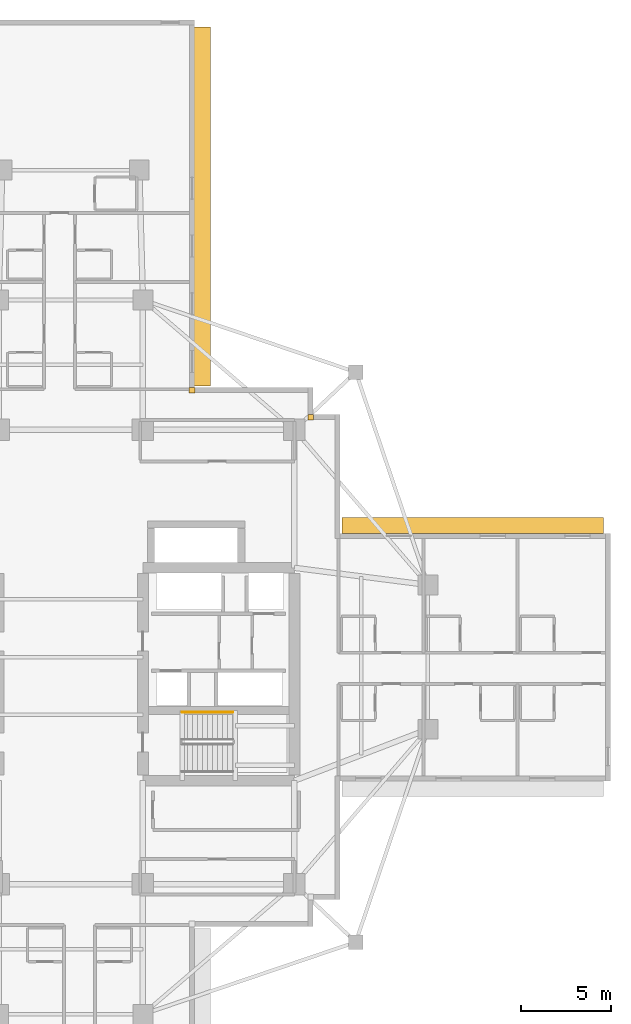
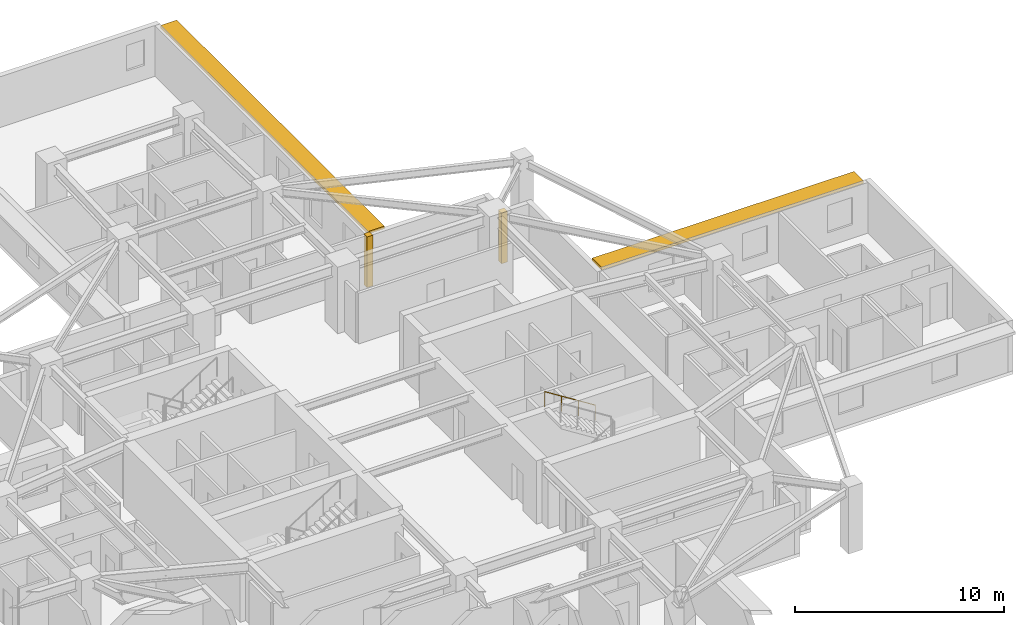
# One storey, part 13 of 13: 2 coverings, 2 shading devices, 1 railing.
"""IFC4 building model written with IfcOpenShell, lengths in metres."""

from ifc_helpers import new_model, si_unit, direction, frame, origin, origin_2d, place, context, subcontext, project, spatial, rectangle, circle, extrude, material, layer, layer_set, type_object, element, save


model = new_model("IFC4")

# Units and contexts
model_context = context("Model", 3, precision=1e-05, world=origin(), true_north=direction((0.0, 1.0)))
body_context = subcontext(model_context, "Body", "Model", "MODEL_VIEW")
ifc_project = project(units=[si_unit("LENGTHUNIT", "METRE"), si_unit("AREAUNIT", "SQUARE_METRE"), si_unit("VOLUMEUNIT", "CUBIC_METRE"), si_unit("PLANEANGLEUNIT", "RADIAN"), si_unit("MASSUNIT", "GRAM", prefix="KILO")], contexts=[model_context])

# Site, building, storey
site_placement = place(None, origin())
site = spatial("IfcSite", under=ifc_project, at=site_placement, CompositionType="ELEMENT")
building_placement = place(site_placement, origin())
building = spatial("IfcBuilding", under=site, at=building_placement, Name="Qingluan Cross Belvedere", CompositionType="ELEMENT")
storey_placement = place(building_placement, frame((0.0, 0.0, 104.699951171875)))
storey = spatial("IfcBuildingStorey", under=building, at=storey_placement, Name="L26", CompositionType="ELEMENT", Elevation=104.699951171875)

# Coverings
ifc_material_1 = material(Name="Precast concrete C45", Category="concrete")
ifc_layer_1 = layer(ifc_material_1, 0.1201171875, Name="ConcreteSpandrelCladding_120")
ifc_layer_set_1 = layer_set([ifc_layer_1], Name="Precast concrete C45")
covering_type = type_object("IfcCoveringType", Name="ConcreteSpandrelCladding_120", PredefinedType="CLADDING", material=ifc_layer_set_1)
for number, where, z_axis, x_axis, name in (
    (1, (13.300048828125, 13.300048828125, 0.0), (0.0, 0.0, 1.0), (1.0, 0.0, 0.0), "Corner closure L26-NE1"),
    (2, (6.719970703125, 14.800048828125, 0.0), (0.0, 0.0, 1.0), (1.0, 0.0, 0.0), "Corner closure L26-NE2"),
):
    element("IfcCovering", number, at=place(storey_placement, frame(where, z_axis=z_axis, x_axis=x_axis)), inside=storey, type_object=covering_type, Name=name, PredefinedType="CLADDING", context=body_context, shape_type="SweptSolid", body=[
        extrude(rectangle(XDim=0.320068359375, YDim=0.320068359375, at=origin_2d()), origin(), (0.0, 0.0, 1.0), 2.969970703125),
    ])

# Shading devices
ifc_material_2 = material(Name="Precast concrete C45", Category="concrete")
ifc_layer_2 = layer(ifc_material_2, 0.159912109375, Name="ConcreteSunshadeBand_900")
ifc_layer_set_2 = layer_set([ifc_layer_2], Name="Precast concrete C45")
shading_device_type = type_object("IfcShadingDeviceType", Name="ConcreteSunshadeBand_900", PredefinedType="USERDEFINED", material=ifc_layer_set_2)
shading_device_1_placement = place(storey_placement, frame((22.2900390625, 7.2900390625, 2.7900390625), z_axis=(0.0, 0.0, 1.0), x_axis=(-1.0, 0.0, 0.0)))
element("IfcShadingDevice", 3, at=shading_device_1_placement, inside=storey, type_object=shading_device_type, Name="Concrete SUNSHADE L26-EB", ObjectType="SUNSHADE", PredefinedType="USERDEFINED", context=body_context, shape_type="SweptSolid", body=[
    extrude(rectangle(XDim=14.5, YDim=0.89990234375, at=origin_2d()), origin(), (0.0, 0.0, 1.0), 0.159912109375),
])
shading_device_2_placement = place(storey_placement, frame((7.2900390625, 24.989990234375, 2.7900390625), z_axis=(0.0, 0.0, 1.0), x_axis=(0.0, 1.0, 0.0)))
element("IfcShadingDevice", 4, at=shading_device_2_placement, inside=storey, type_object=shading_device_type, Name="Concrete SUNSHADE L26-NA", ObjectType="SUNSHADE", PredefinedType="USERDEFINED", context=body_context, shape_type="SweptSolid", body=[
    extrude(rectangle(XDim=19.89990234375, YDim=0.89990234375, at=origin_2d()), origin(), (0.0, 0.0, 1.0), 0.159912109375),
])

# Railing
ifc_material_3 = material(Name="Brushed stainless steel tubular handrail", Category="steel")
railing_type = type_object("IfcRailingType", Name="StairPitchHandrail_900", PredefinedType="HANDRAIL", material=ifc_material_3)
railing_placement = place(storey_placement, frame((8.97998046875, -3.050048828125, 2.12744140625)))
element("IfcRailing", 5, at=railing_placement, inside=storey, type_object=railing_type, Name="L26 ST2 stair handrail 2", PredefinedType="HANDRAIL", context=body_context, shape_type="SweptSolid", body=[
    extrude(circle(Radius=0.02392578125, at=origin_2d()), frame((0.0, 0.0, 0.8759765625), z_axis=(-0.844908973607, 0.0, 0.534910110503), x_axis=(0.0, -1.0, 0.0)), (0.0, 0.0, 1.0), 3.31396484375),
    extrude(circle(Radius=0.02099609375, at=origin_2d()), origin(), (0.0, 0.0, 1.0), 0.851806640625),
    extrude(circle(Radius=0.02099609375, at=origin_2d()), frame((-0.933349609375, 0.0, 0.5908203125)), (0.0, 0.0, 1.0), 0.851806640625),
    extrude(circle(Radius=0.02099609375, at=origin_2d()), frame((-1.86669921875, 0.0, 1.181884765625)), (0.0, 0.0, 1.0), 0.851806640625),
    extrude(circle(Radius=0.02099609375, at=origin_2d()), frame((-2.800048828125, 0.0, 1.772705078125)), (0.0, 0.0, 1.0), 0.851806640625),
])

save(model, "model.ifc")
